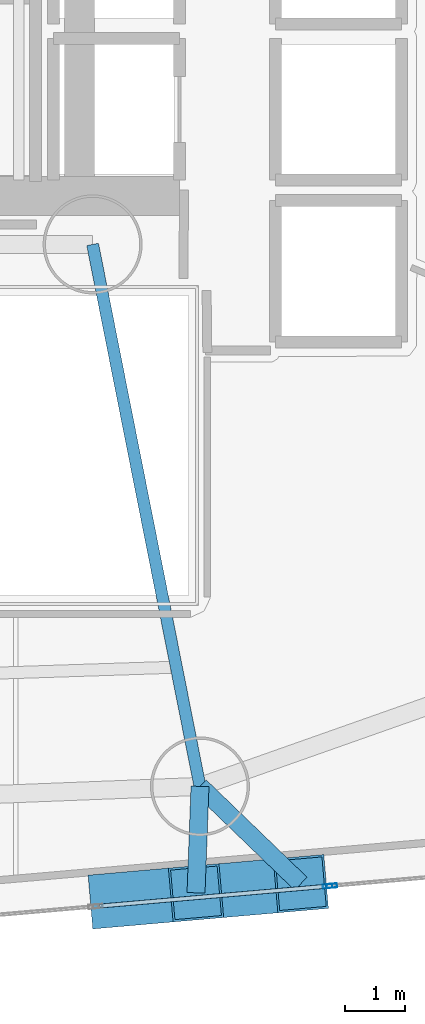
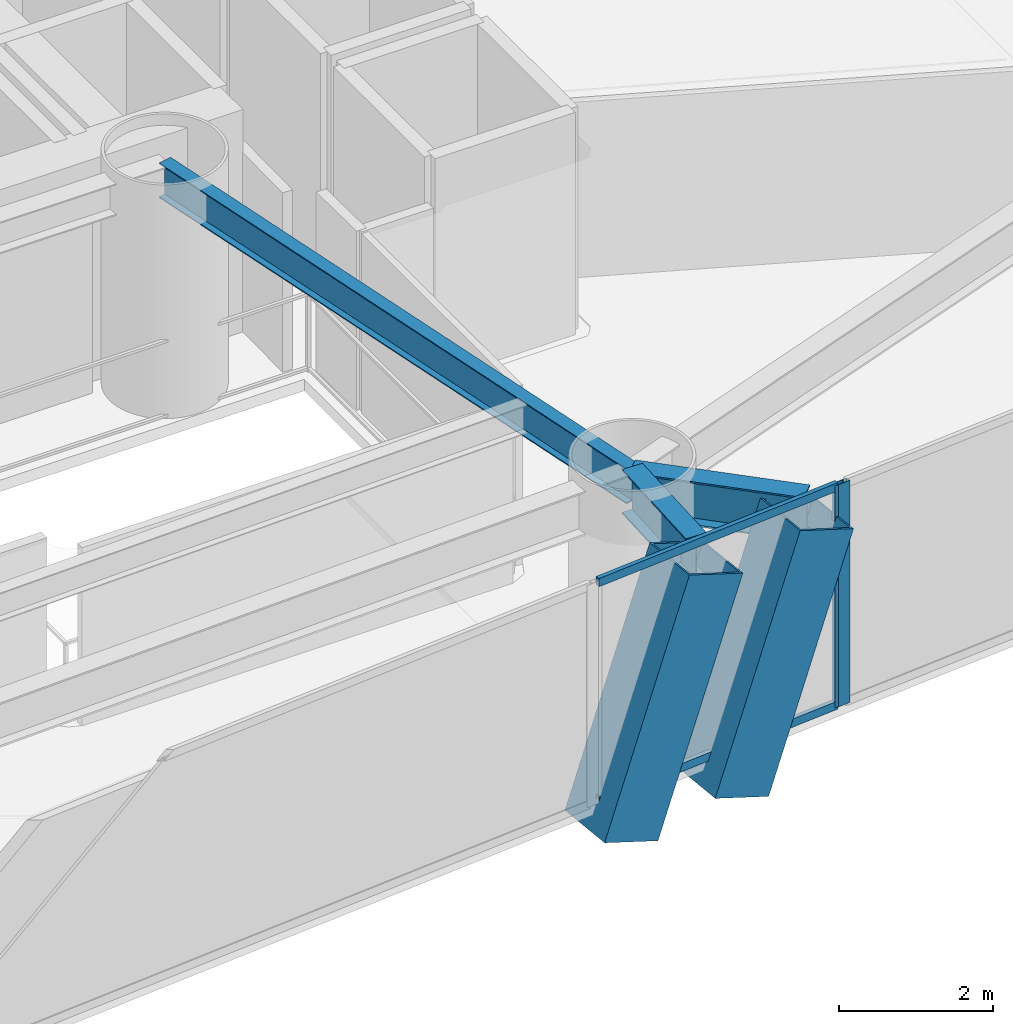
# One storey, part 6 of 23: 6 members, 3 beams, 2 elements without a shape of their own.
"""IFC4 building model written with IfcOpenShell, lengths in metres."""

from ifc_helpers import new_model, si_unit, direction, frame, origin, origin_2d, place, context, subcontext, project, spatial, hollow_rectangle, i_section, extrude, material, layer, layer_set, material_profile, profile_set, type_object, element, aggregate, save


model = new_model("IFC4")

# Units and contexts
model_context = context("Model", 3, precision=1e-05, world=origin(), true_north=direction((0.0, 1.0)))
body_context = subcontext(model_context, "Body", "Model", "MODEL_VIEW")
ifc_project = project(units=[si_unit("LENGTHUNIT", "METRE"), si_unit("AREAUNIT", "SQUARE_METRE"), si_unit("VOLUMEUNIT", "CUBIC_METRE"), si_unit("PLANEANGLEUNIT", "RADIAN"), si_unit("MASSUNIT", "GRAM", prefix="KILO")], contexts=[model_context])

# Site, building, storey
site_placement = place(None, origin())
site = spatial("IfcSite", under=ifc_project, at=site_placement, CompositionType="ELEMENT")
building_placement = place(site_placement, origin())
building = spatial("IfcBuilding", under=site, at=building_placement, Name="Qianvela Tower", CompositionType="ELEMENT")
storey_placement = place(building_placement, frame((0.0, 0.0, 63.60009765625)))
storey = spatial("IfcBuildingStorey", under=building, at=storey_placement, Name="L15", CompositionType="ELEMENT", Elevation=63.60009765625)

# Beams
ifc_material_1 = material(Name="Steel Q355B", Category="steel")
ifc_material_profile_1 = material_profile(ifc_material_1, i_section(OverallWidth=0.199951171875, OverallDepth=0.550048828125, WebThickness=0.010009765625, FlangeThickness=0.01611328125, at=origin_2d()), Name="HN550x200x10x16")
ifc_profile_set_1 = profile_set([ifc_material_profile_1], Name="Steel Q355B")
beam_type_1 = type_object("IfcBeamType", Name="BM-HN550-GIRD", PredefinedType="BEAM", material=ifc_profile_set_1)
beam_1_placement = place(storey_placement, frame((38.39990234375, 23.85009765625, 3.242919921875), z_axis=(0.194325825688, -0.980937038485, 0.0), x_axis=(0.980937038485, 0.194325825688, 0.0)))
element("IfcBeam", 1, at=beam_1_placement, inside=storey, type_object=beam_type_1, Name="L15 Radial Primary Floor Girder 6", PredefinedType="BEAM", context=body_context, shape_type="SweptSolid", body=[
    extrude(i_section(OverallWidth=0.199951171875, OverallDepth=0.550048828125, WebThickness=0.010009765625, FlangeThickness=0.01611328125, at=origin_2d()), origin(), (0.0, 0.0, 1.0), 9.20654296875),
])
ifc_material_2 = material(Name="Steel Q355B", Category="steel")
ifc_material_profile_2 = material_profile(ifc_material_2, i_section(OverallWidth=0.300048828125, OverallDepth=0.699951171875, WebThickness=0.012939453125, FlangeThickness=0.02392578125, at=origin_2d()), Name="HN700x300x13x24")
ifc_profile_set_2 = profile_set([ifc_material_profile_2], Name="Steel Q355B")
beam_type_2 = type_object("IfcBeamType", Name="BM-HN700-SPAND", PredefinedType="SPANDREL", material=ifc_profile_set_2)
beam_2_placement = place(storey_placement, frame((40.18896484375, 14.819091796875, 3.16796875), z_axis=(-0.037138848046, -0.999310115012, 0.0), x_axis=(0.999310115012, -0.037138848046, 0.0)))
element("IfcBeam", 2, at=beam_2_placement, inside=storey, type_object=beam_type_2, Name="L15 Mega-Brace Column Tie Bracket F3-1", PredefinedType="SPANDREL", context=body_context, shape_type="SweptSolid", body=[
    extrude(i_section(OverallWidth=0.300048828125, OverallDepth=0.699951171875, WebThickness=0.012939453125, FlangeThickness=0.02392578125, at=origin_2d()), origin(), (0.0, 0.0, 1.0), 1.77490234375),
])
beam_3_placement = place(storey_placement, frame((40.18896484375, 14.819091796875, 3.16796875), z_axis=(0.719594212671, -0.694394822195, 0.0), x_axis=(0.694394822195, 0.719594212671, 0.0)))
element("IfcBeam", 3, at=beam_3_placement, inside=storey, type_object=beam_type_2, Name="L15 Mega-Brace Column Tie Bracket F3-2", PredefinedType="SPANDREL", context=body_context, shape_type="SweptSolid", body=[
    extrude(i_section(OverallWidth=0.300048828125, OverallDepth=0.699951171875, WebThickness=0.012939453125, FlangeThickness=0.02392578125, at=origin_2d()), origin(), (0.0, 0.0, 1.0), 2.3349609375),
])

# Curtain wall, members
ifc_material_3 = material(Name="Anodised Architectural Aluminium and Insulated Spandrel Panel", Category="aluminium")
ifc_layer_1 = layer(ifc_material_3, 0.179931640625)
ifc_layer_set_1 = layer_set([ifc_layer_1], Name="Anodised Architectural Aluminium and Insulated Spandrel Panel")
curtain_wall_type_1 = type_object("IfcCurtainWallType", Name="CW-BRACEBAY", PredefinedType="USERDEFINED", material=ifc_layer_set_1)
curtain_wall_1_placement = place(storey_placement, origin())
curtain_wall_1 = element("IfcCurtainWall", 4, at=curtain_wall_1_placement, inside=storey, type_object=curtain_wall_type_1, Name="L15 CW-BRACEBAY Curtain Wall 06B", ObjectType="CURTAIN_WALL_SYSTEM", PredefinedType="USERDEFINED")
ifc_material_4 = material(Name="Anodised Architectural Aluminium 6063-T6", Category="aluminium")
ifc_material_profile_3 = material_profile(ifc_material_4, hollow_rectangle(XDim=0.06494140625, YDim=0.159912109375, WallThickness=0.0048828125, at=origin_2d()), Name="ALU-MULL-65x160")
ifc_profile_set_3 = profile_set([ifc_material_profile_3], Name="Anodised Architectural Aluminium 6063-T6")
member_type_1 = type_object("IfcMemberType", Name="CW-BRACEBAY-MULL", PredefinedType="MULLION", material=ifc_profile_set_3)
member_1_placement = place(storey_placement, frame((42.316650390625, 13.156494140625, 0.0), z_axis=(0.0, 0.0, 1.0), x_axis=(-0.087032430798, 0.996205478799, 0.0)))
member_1 = element("IfcMember", 5, at=member_1_placement, type_object=member_type_1, Name="CW-9 mullion 2", PredefinedType="MULLION", context=body_context, shape_type="SweptSolid", body=[
    extrude(hollow_rectangle(XDim=0.06494140625, YDim=0.159912109375, WallThickness=0.0048828125, at=origin_2d()), origin(), (0.0, 0.0, 1.0), 3.52001953125),
])
ifc_material_5 = material(Name="Anodised Architectural Aluminium 6063-T6", Category="aluminium")
ifc_material_profile_4 = material_profile(ifc_material_5, hollow_rectangle(XDim=0.06494140625, YDim=0.1298828125, WallThickness=0.00439453125, at=origin_2d()), Name="ALU-TRAN-65x130")
ifc_profile_set_4 = profile_set([ifc_material_profile_4], Name="Anodised Architectural Aluminium 6063-T6")
member_type_2 = type_object("IfcMemberType", Name="CW-BRACEBAY-TRAN", PredefinedType="USERDEFINED", material=ifc_profile_set_4)
member_2_placement = place(storey_placement, frame((38.5185546875, 12.82470703125, 0.032470703125), z_axis=(0.996202685809, 0.087064394481, 0.0), x_axis=(-0.087064394481, 0.996202685809, 0.0)))
member_2 = element("IfcMember", 6, at=member_2_placement, type_object=member_type_2, Name="CW-9 transom 1.1", ObjectType="TRANSOM", PredefinedType="USERDEFINED", context=body_context, shape_type="SweptSolid", body=[
    extrude(hollow_rectangle(XDim=0.06494140625, YDim=0.1298828125, WallThickness=0.00439453125, at=origin_2d()), origin(), (0.0, 0.0, 1.0), 3.780029296875),
])
member_3_placement = place(storey_placement, frame((38.5185546875, 12.82470703125, 3.4873046875), z_axis=(0.996202685809, 0.087064394481, 0.0), x_axis=(-0.087064394481, 0.996202685809, 0.0)))
member_3 = element("IfcMember", 7, at=member_3_placement, type_object=member_type_2, Name="CW-9 transom 1.2", ObjectType="TRANSOM", PredefinedType="USERDEFINED", context=body_context, shape_type="SweptSolid", body=[
    extrude(hollow_rectangle(XDim=0.06494140625, YDim=0.1298828125, WallThickness=0.00439453125, at=origin_2d()), origin(), (0.0, 0.0, 1.0), 3.780029296875),
])
aggregate(curtain_wall_1, [member_1, member_2, member_3])

# Curtain wall, member
ifc_material_6 = material(Name="Anodised Architectural Aluminium and Low-E Glass", Category="aluminium")
ifc_layer_2 = layer(ifc_material_6, 0.179931640625)
ifc_layer_set_2 = layer_set([ifc_layer_2], Name="Anodised Architectural Aluminium and Low-E Glass")
curtain_wall_type_2 = type_object("IfcCurtainWallType", Name="CW-COLIV-Z12", PredefinedType="USERDEFINED", material=ifc_layer_set_2)
curtain_wall_2_placement = place(storey_placement, origin())
curtain_wall_2 = element("IfcCurtainWall", 8, at=curtain_wall_2_placement, inside=storey, type_object=curtain_wall_type_2, Name="L15 CW-COLIV-Z12 Curtain Wall 06C", ObjectType="CURTAIN_WALL_SYSTEM", PredefinedType="USERDEFINED")
ifc_material_7 = material(Name="Anodised Architectural Aluminium 6063-T6", Category="aluminium")
ifc_material_profile_5 = material_profile(ifc_material_7, hollow_rectangle(XDim=0.070068359375, YDim=0.179931640625, WallThickness=0.0048828125, at=origin_2d()), Name="ALU-MULL-70x180")
ifc_profile_set_5 = profile_set([ifc_material_profile_5], Name="Anodised Architectural Aluminium 6063-T6")
member_type_3 = type_object("IfcMemberType", Name="CW-COLIV-Z12-MULL", PredefinedType="MULLION", material=ifc_profile_set_5)
member_4_placement = place(storey_placement, frame((42.3837890625, 13.162353515625, 0.0), z_axis=(0.0, 0.0, 1.0), x_axis=(-0.087033968319, 0.996205344474, 0.0)))
member_4 = element("IfcMember", 9, at=member_4_placement, type_object=member_type_3, Name="CW-3 mullion 1", PredefinedType="MULLION", context=body_context, shape_type="SweptSolid", body=[
    extrude(hollow_rectangle(XDim=0.070068359375, YDim=0.179931640625, WallThickness=0.0048828125, at=origin_2d()), origin(), (0.0, 0.0, 1.0), 3.52001953125),
])
aggregate(curtain_wall_2, [member_4])

# Members
ifc_material_8 = material(Name="Steel Q420GJC", Category="steel")
ifc_material_profile_6 = material_profile(ifc_material_8, hollow_rectangle(XDim=0.89990234375, YDim=0.89990234375, WallThickness=0.035888671875, at=origin_2d()), Name="MBOX-900x900x36")
ifc_profile_set_6 = profile_set([ifc_material_profile_6], Name="Steel Q420GJC")
member_type_4 = type_object("IfcMemberType", Name="MBR-MBRACE-900", PredefinedType="BRACE", material=ifc_profile_set_6)
member_5_placement = place(storey_placement, frame((38.78515625, 12.928466796875, -0.531982421875), z_axis=(0.339898404064, 0.029710097728, 0.939992757955), x_axis=(-0.087076746238, 0.996201606235, 0.0)))
element("IfcMember", 10, at=member_5_placement, inside=storey, type_object=member_type_4, Name="L15 Tier 2 Exterior Mega-Brace F3A", PredefinedType="BRACE", context=body_context, shape_type="SweptSolid", body=[
    extrude(hollow_rectangle(XDim=0.89990234375, YDim=0.89990234375, WallThickness=0.035888671875, at=origin_2d()), origin(), (0.0, 0.0, 1.0), 3.93603515625),
])
member_6_placement = place(storey_placement, frame((40.53076171875, 13.080810546875, -0.531982421875), z_axis=(0.340008115966, 0.029708844865, 0.939953118838), x_axis=(-0.087045218746, 0.996204361511, 0.0)))
element("IfcMember", 11, at=member_6_placement, inside=storey, type_object=member_type_4, Name="L15 Tier 2 Exterior Mega-Brace F3B", PredefinedType="BRACE", context=body_context, shape_type="SweptSolid", body=[
    extrude(hollow_rectangle(XDim=0.89990234375, YDim=0.89990234375, WallThickness=0.035888671875, at=origin_2d()), origin(), (0.0, 0.0, 1.0), 3.936279296875),
])

save(model, "model.ifc")
